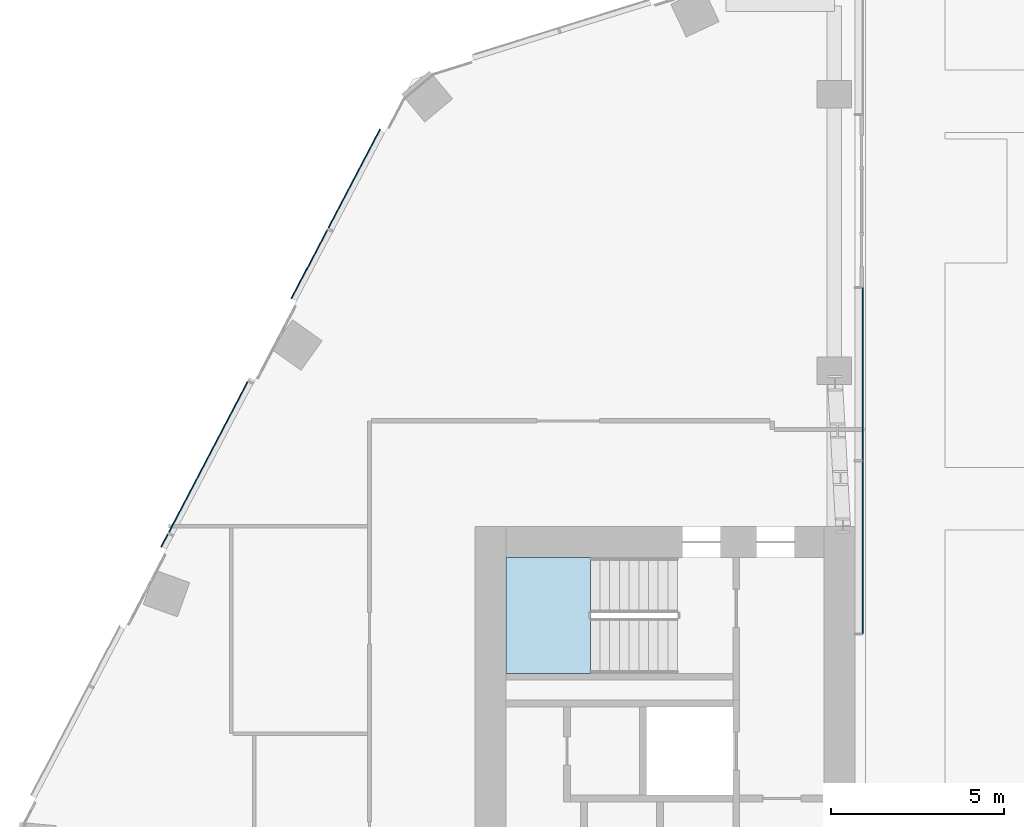
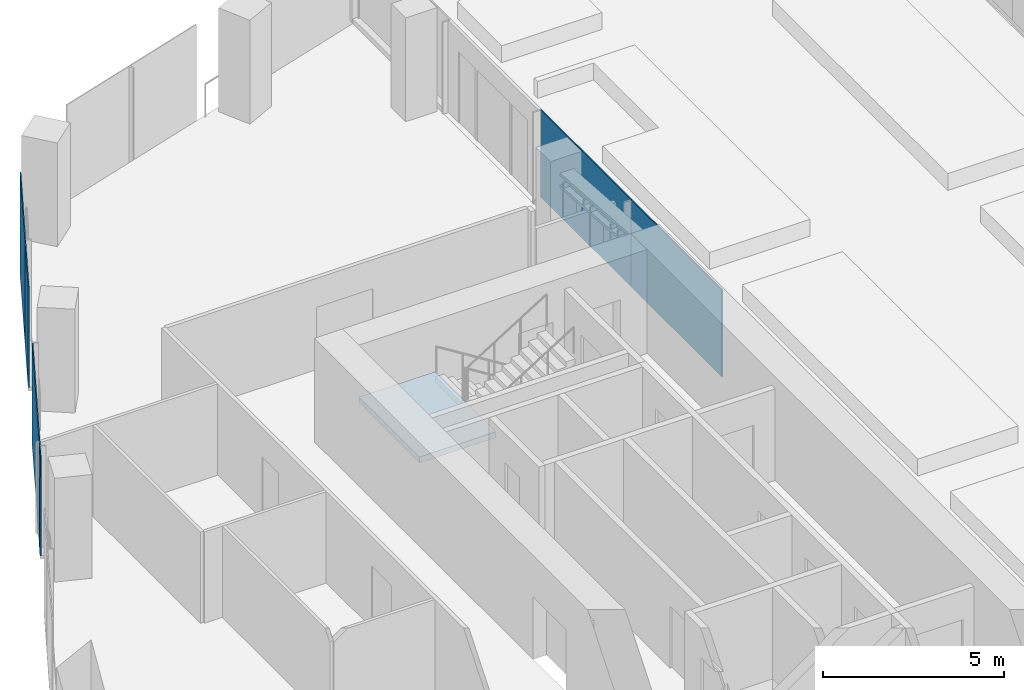
# One storey, part 16 of 26: 6 plates, 1 slab, 3 elements without a shape of their own.
"""IFC4 building model written with IfcOpenShell, lengths in metres."""

import ifcopenshell
import ifcopenshell.guid

model = None  # the IFC model being written
_history = None  # IfcOwnerHistory: only IFC2X3 demands one
_inside = {}  # id of a spatial element -> (the spatial element, [elements in it])
_under = {}  # id of a project, library or spatial element -> (it, [spatial elements below it])
_declared = {}  # id of a project -> (the project, [libraries it declares])
_typed = {}  # id of a type object -> (the type object, [elements of that type])
_made_of = {}  # id of a material, layer set ... -> (it, [elements and type objects made of it])


def new_model(schema):
    """Start an empty IFC model of exactly this schema.

    Asked for "IFC4X3", IfcOpenShell would pick the latest addendum, in which some entities
    have other attributes; the version numbers below select the first issue.
    IFC2X3 requires an IfcOwnerHistory on every rooted entity: one is made here for all.
    """
    global model, _history
    if schema == "IFC4X3":
        model = ifcopenshell.file(schema_version=(4, 3, 0, 0))
    else:
        model = ifcopenshell.file(schema=schema)
    _inside.clear()
    _under.clear()
    _declared.clear()
    _typed.clear()
    _made_of.clear()
    _history = None
    if model.schema == "IFC2X3":
        org = make("IfcOrganization", Name="unknown")
        user = make(
            "IfcPersonAndOrganization",
            ThePerson=make("IfcPerson", FamilyName="unknown"),
            TheOrganization=org,
        )
        app = make(
            "IfcApplication",
            ApplicationDeveloper=org,
            Version="unknown",
            ApplicationFullName="unknown",
            ApplicationIdentifier="unknown",
        )
        _history = make(
            "IfcOwnerHistory",
            OwningUser=user,
            OwningApplication=app,
            ChangeAction="ADDED",
            CreationDate=0,
        )
    return model


def make(cls, **values):
    """One entity of the class cls with the attributes given. An attribute that is None is left unset."""
    return model.create_entity(
        cls, **{name: value for name, value in values.items() if value is not None}
    )


def rooted(cls, **values):
    """An entity with a GlobalId (a new one), such as an element, a storey or a relation."""
    return make(cls, GlobalId=ifcopenshell.guid.new(), OwnerHistory=_history, **values)


def si_unit(unit_type, name, prefix=None):
    """IfcSIUnit, for example si_unit("LENGTHUNIT", "METRE", prefix="MILLI")."""
    return make("IfcSIUnit", UnitType=unit_type, Prefix=prefix, Name=name)


def assignment(units):
    """IfcUnitAssignment: the units of a project."""
    return None if units is None else make("IfcUnitAssignment", Units=units)


def point(xyz):
    """IfcCartesianPoint."""
    return None if xyz is None else make("IfcCartesianPoint", Coordinates=xyz)


def direction(xyz):
    """IfcDirection."""
    return None if xyz is None else make("IfcDirection", DirectionRatios=xyz)


def frame(location, z_axis=None, x_axis=None):
    """IfcAxis2Placement3D, a coordinate frame: its origin and axes. An axis left out is left unset."""
    return make(
        "IfcAxis2Placement3D",
        Location=point(location),
        Axis=direction(z_axis),
        RefDirection=direction(x_axis),
    )


def frame_2d(location, x_axis=None):
    """IfcAxis2Placement2D, a coordinate frame in the plane: its origin and x axis."""
    return make(
        "IfcAxis2Placement2D", Location=point(location), RefDirection=direction(x_axis)
    )


def origin():
    """The frame at (0, 0, 0) with its axes left unset."""
    return frame((0.0, 0.0, 0.0))


def origin_2d():
    """The frame at (0, 0) in the plane with its x axis left unset."""
    return frame_2d((0.0, 0.0))


def place(relative_to, where):
    """IfcLocalPlacement: puts the frame where relative to a parent placement (None: the world)."""
    return make(
        "IfcLocalPlacement", PlacementRelTo=relative_to, RelativePlacement=where
    )


def context(
    kind, dimensions, precision=None, world=None, true_north=None, identifier=None
):
    """IfcGeometricRepresentationContext, for example the 3D "Model" context."""
    return make(
        "IfcGeometricRepresentationContext",
        ContextIdentifier=identifier,
        ContextType=kind,
        CoordinateSpaceDimension=dimensions,
        Precision=precision,
        WorldCoordinateSystem=world,
        TrueNorth=true_north,
    )


def subcontext(parent, identifier, kind, view, scale=None):
    """IfcGeometricRepresentationSubContext, for example "Body" below "Model"."""
    return make(
        "IfcGeometricRepresentationSubContext",
        ContextIdentifier=identifier,
        ContextType=kind,
        ParentContext=parent,
        TargetScale=scale,
        TargetView=view,
    )


def project(units=None, contexts=None):
    """IfcProject with its units and contexts."""
    return rooted(
        "IfcProject",
        Name="project",
        RepresentationContexts=contexts,
        UnitsInContext=assignment(units),
    )


def spatial(cls, under=None, at=None, **own):
    """A site, building, storey or space (cls), placed at a placement, below another one or the project."""
    s = rooted(cls, ObjectPlacement=at, **own)
    if under is not None:
        _under.setdefault(under.id(), (under, []))[1].append(s)
    return s


def polyline(points):
    """IfcPolyline through the points."""
    return make("IfcPolyline", Points=[point(p) for p in points])


def profile(cls, at=None, kind="AREA", **sizes):
    """A parametric profile (cls). Its sizes go by their IFC names, for example OverallWidth=200.0."""
    return make(cls, ProfileType=kind, Position=at, **sizes)


def rectangle(**sizes):
    """IfcRectangleProfileDef."""
    return profile("IfcRectangleProfileDef", **sizes)


def outline(outer, holes=None, kind="AREA"):
    """IfcArbitraryClosedProfileDef: a profile drawn as a closed curve; with holes, ...WithVoids."""
    if holes is None:
        return make("IfcArbitraryClosedProfileDef", ProfileType=kind, OuterCurve=outer)
    return make(
        "IfcArbitraryProfileDefWithVoids",
        ProfileType=kind,
        OuterCurve=outer,
        InnerCurves=holes,
    )


def extrude(swept, where, along, depth):
    """IfcExtrudedAreaSolid: the profile swept, set in the frame where, extruded along a direction by depth."""
    return make(
        "IfcExtrudedAreaSolid",
        SweptArea=swept,
        Position=where,
        ExtrudedDirection=direction(along),
        Depth=depth,
    )


def shape(context_of_items, identifier, shape_type, items):
    """IfcShapeRepresentation: the items that make up one representation, for example the "Body"."""
    return make(
        "IfcShapeRepresentation",
        ContextOfItems=context_of_items,
        RepresentationIdentifier=identifier,
        RepresentationType=shape_type,
        Items=items,
    )


def material(Name=None, Category=None):
    """IfcMaterial."""
    return make("IfcMaterial", Name=Name, Category=Category)


def layer(
    of_material, thickness, ventilated=None, Name=None, Category=None, Priority=None
):
    """IfcMaterialLayer: one layer of a wall or slab, of a material (None: an air gap)."""
    return make(
        "IfcMaterialLayer",
        Material=of_material,
        LayerThickness=thickness,
        IsVentilated=ventilated,
        Name=Name,
        Category=Category,
        Priority=Priority,
    )


def layer_set(layers, Name=None):
    """IfcMaterialLayerSet."""
    return make("IfcMaterialLayerSet", MaterialLayers=layers, LayerSetName=Name)


def made_of(thing, what):
    """Note that an element or type object is made of a material, layer set ...; save() writes the relation."""
    if what is not None:
        _made_of.setdefault(what.id(), (what, []))[1].append(thing)
    return thing


def type_object(cls, material=None, **own):
    """A type object (cls), such as IfcWallType, which elements share."""
    return made_of(rooted(cls, **own), material)


def element(
    cls,
    number,
    at=None,
    inside=None,
    cuts=None,
    type_object=None,
    material=None,
    context=None,
    identifier="Body",
    shape_type=None,
    held_by="IfcProductDefinitionShape",
    body=None,
    shapes=None,
    **own,
):
    """One element of the class cls, such as IfcWall. Its Tag is "e" and its number.

    at: its placement. inside: the storey or other place that contains it. cuts: it is an
    opening in that element (IfcRelVoidsElement). A single representation is given by context,
    identifier, shape_type and body (its items); several are given by shapes. held_by: the class
    of the entity that holds the representations. save() writes the other relations.
    """
    e = rooted(cls, Tag="e%d" % number, ObjectPlacement=at, **own)
    if body is not None:
        shapes = [shape(context, identifier, shape_type, body)]
    if shapes is not None:
        e.Representation = make(held_by, Representations=shapes)
    if inside is not None:
        _inside.setdefault(inside.id(), (inside, []))[1].append(e)
    if cuts is not None:
        rooted(
            "IfcRelVoidsElement", RelatingBuildingElement=cuts, RelatedOpeningElement=e
        )
    if type_object is not None:
        _typed.setdefault(type_object.id(), (type_object, []))[1].append(e)
    return made_of(e, material)


def aggregate(whole, parts):
    """IfcRelAggregates: a whole, such as a stair, and the parts it consists of."""
    return rooted("IfcRelAggregates", RelatingObject=whole, RelatedObjects=parts)


def save(model, path):
    """Write the relations noted so far, then the file.

    IfcRelAggregates (storeys below a building ...), IfcRelContainedInSpatialStructure (elements
    in a storey), IfcRelDefinesByType, IfcRelAssociatesMaterial and IfcRelDeclares: one each for
    every whole, place, type object, material and project.
    """
    for whole, parts in _under.values():
        aggregate(whole, parts)
    for where, things in _inside.values():
        rooted(
            "IfcRelContainedInSpatialStructure",
            RelatedElements=things,
            RelatingStructure=where,
        )
    for kind, things in _typed.values():
        rooted("IfcRelDefinesByType", RelatedObjects=things, RelatingType=kind)
    for what, things in _made_of.values():
        rooted("IfcRelAssociatesMaterial", RelatedObjects=things, RelatingMaterial=what)
    for by, libraries in _declared.values():
        rooted("IfcRelDeclares", RelatingContext=by, RelatedDefinitions=libraries)
    model.write(path)


model = new_model("IFC4")

# Units and contexts
model_context = context("Model", 3, precision=1e-05, world=origin(), true_north=direction((0.0, 1.0)))
body_context = subcontext(model_context, "Body", "Model", "MODEL_VIEW")
ifc_project = project(units=[si_unit("LENGTHUNIT", "METRE"), si_unit("AREAUNIT", "SQUARE_METRE"), si_unit("VOLUMEUNIT", "CUBIC_METRE"), si_unit("PLANEANGLEUNIT", "RADIAN"), si_unit("MASSUNIT", "GRAM", prefix="KILO")], contexts=[model_context])

# Site, building, storey
site_placement = place(None, origin())
site = spatial("IfcSite", under=ifc_project, at=site_placement, CompositionType="ELEMENT")
building_placement = place(site_placement, origin())
building = spatial("IfcBuilding", under=site, at=building_placement, Name="Orlundy Tower", CompositionType="ELEMENT")
storey_placement = place(building_placement, frame((0.0, 0.0, 253.5)))
storey = spatial("IfcBuildingStorey", under=building, at=storey_placement, Name="L67", CompositionType="ELEMENT", Elevation=253.5)

# Curtain wall, plates
ifc_material_1 = material(Name="Aluminium bronze anodised", Category="aluminium")
curtain_wall_type = type_object("IfcCurtainWallType", Name="CW1 wall", PredefinedType="NOTDEFINED", material=ifc_material_1)
curtain_wall_1_placement = place(storey_placement, origin())
curtain_wall_1 = element("IfcCurtainWall", 1, at=curtain_wall_1_placement, inside=storey, type_object=curtain_wall_type, Name="CW1 run 02", PredefinedType="NOTDEFINED")
ifc_material_2 = material(Name="Tinted glass", Category="glass")
ifc_layer_1 = layer(ifc_material_2, 0.031982421875)
ifc_layer_set_1 = layer_set([ifc_layer_1], Name="CW1 glass panel 32")
plate_type_1 = type_object("IfcPlateType", Name="CW1 glass panel 32", PredefinedType="CURTAIN_PANEL", material=ifc_layer_set_1)
plate_1_placement = place(storey_placement, frame((-27.980712890625, 11.592041015625, -0.300048828125), z_axis=(0.0, 0.0, 1.0), x_axis=(0.464336233904, 0.885658998646, 0.0)))
plate_1 = element("IfcPlate", 2, at=plate_1_placement, type_object=plate_type_1, Name="CW1 panel", PredefinedType="CURTAIN_PANEL", context=body_context, shape_type="SweptSolid", body=[
    extrude(rectangle(XDim=0.4296875, YDim=0.031982421875, at=origin_2d()), origin(), (0.0, 0.0, 1.0), 3.39990234375),
])
plate_2_placement = place(storey_placement, frame((-26.71533203125, 14.005615234375, -0.300048828125), z_axis=(0.0, 0.0, 1.0), x_axis=(0.464336233904, 0.885658998646, 0.0)))
plate_2 = element("IfcPlate", 3, at=plate_2_placement, type_object=plate_type_1, Name="CW1 panel", PredefinedType="CURTAIN_PANEL", context=body_context, shape_type="SweptSolid", body=[
    extrude(rectangle(XDim=4.920654296875, YDim=0.031982421875, at=origin_2d()), origin(), (0.0, 0.0, 1.0), 3.39990234375),
])
plate_3_placement = place(storey_placement, frame((-23.787841796875, 19.58935546875, -0.300048828125), z_axis=(0.0, 0.0, 1.0), x_axis=(0.464336233904, 0.885658998646, 0.0)))
plate_3 = element("IfcPlate", 4, at=plate_3_placement, type_object=plate_type_1, Name="CW1 panel", PredefinedType="CURTAIN_PANEL", context=body_context, shape_type="SweptSolid", body=[
    extrude(rectangle(XDim=2.25244140625, YDim=0.031982421875, at=origin_2d()), origin(), (0.0, 0.0, 1.0), 3.39990234375),
])
plate_4_placement = place(storey_placement, frame((-22.491455078125, 22.061767578125, -0.300048828125), z_axis=(0.0, 0.0, 1.0), x_axis=(0.464336233904, 0.885658998646, 0.0)))
plate_4 = element("IfcPlate", 5, at=plate_4_placement, type_object=plate_type_1, Name="CW1 panel", PredefinedType="CURTAIN_PANEL", context=body_context, shape_type="SweptSolid", body=[
    extrude(rectangle(XDim=3.230712890625, YDim=0.031982421875, at=origin_2d()), origin(), (0.0, 0.0, 1.0), 3.39990234375),
])
aggregate(curtain_wall_1, [plate_1, plate_2, plate_3, plate_4])

curtain_wall_2_placement = place(storey_placement, origin())
curtain_wall_2 = element("IfcCurtainWall", 6, at=curtain_wall_2_placement, inside=storey, type_object=curtain_wall_type, Name="CW1 run 04", PredefinedType="NOTDEFINED")
ifc_material_3 = material(Name="Tinted glass", Category="glass")
ifc_layer_2 = layer(ifc_material_3, 0.035888671875)
ifc_layer_set_2 = layer_set([ifc_layer_2], Name="CW6 glass panel 36")
plate_type_2 = type_object("IfcPlateType", Name="CW6 glass panel 36", PredefinedType="CURTAIN_PANEL", material=ifc_layer_set_2)
plate_5_placement = place(storey_placement, frame((-7.778076171875, 16.402587890625, 0.159912109375), z_axis=(0.0, 0.0, 1.0), x_axis=(0.0, -1.0, 0.0)))
plate_5 = element("IfcPlate", 7, at=plate_5_placement, type_object=plate_type_2, Name="CW6 panel", PredefinedType="CURTAIN_PANEL", context=body_context, shape_type="SweptSolid", body=[
    extrude(rectangle(XDim=5.010986328125, YDim=0.035888671875, at=origin_2d()), origin(), (0.0, 0.0, 1.0), 2.93994140625),
])
plate_6_placement = place(storey_placement, frame((-7.778076171875, 11.391845703125, 0.159912109375), z_axis=(0.0, 0.0, 1.0), x_axis=(0.0, -1.0, 0.0)))
plate_6 = element("IfcPlate", 8, at=plate_6_placement, type_object=plate_type_2, Name="CW6 panel", PredefinedType="CURTAIN_PANEL", context=body_context, shape_type="SweptSolid", body=[
    extrude(rectangle(XDim=5.010986328125, YDim=0.035888671875, at=origin_2d()), origin(), (0.0, 0.0, 1.0), 2.93994140625),
])
aggregate(curtain_wall_2, [plate_5, plate_6])

# Stair, slab
ifc_material_4 = material(Name="Concrete C50/60", Category="concrete")
stair_type = type_object("IfcStairType", Name="Exit Stair 20 risers", PredefinedType="HALF_TURN_STAIR", material=ifc_material_4)
stair_placement = place(storey_placement, origin())
stair = element("IfcStair", 9, at=stair_placement, inside=storey, type_object=stair_type, Name="L67 Exit Stair ST-W1", PredefinedType="HALF_TURN_STAIR")
ifc_material_5 = material(Name="Concrete C50/60", Category="concrete")
ifc_layer_3 = layer(ifc_material_5, 0.199951171875)
ifc_layer_set_3 = layer_set([ifc_layer_3], Name="Exit Stair Landing")
slab_type = type_object("IfcSlabType", Name="Exit Stair Landing", PredefinedType="LANDING", material=ifc_layer_set_3)
slab_placement = place(storey_placement, frame((0.0, 0.0, 1.550048828125)))
slab = element("IfcSlab", 10, at=slab_placement, type_object=slab_type, Name="ST-W1 landing 1", PredefinedType="LANDING", context=body_context, shape_type="SweptSolid", body=[
    extrude(outline(polyline([(-15.659912109375, 11.10009765625), (-18.10009765625, 11.10009765625), (-18.10009765625, 7.75), (-15.659912109375, 7.75), (-15.659912109375, 11.10009765625)])), origin(), (0.0, 0.0, 1.0), 0.199951171875),
])
aggregate(stair, [slab])

save(model, "model.ifc")
